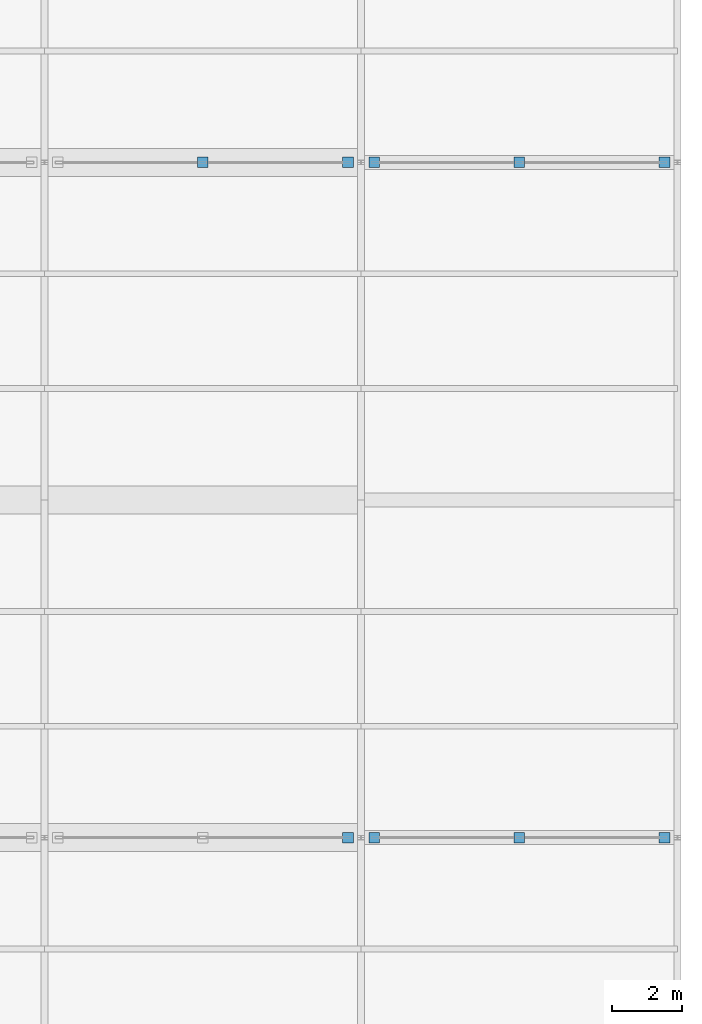
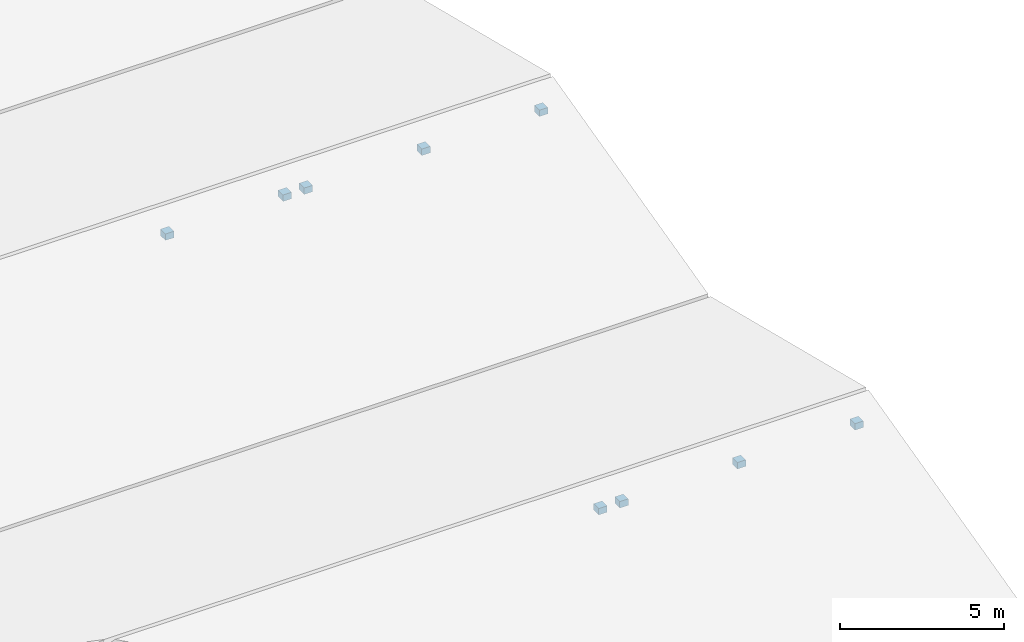
# One storey, part 29 of 36: 9 discrete accessories.
"""IFC4 building model written with IfcOpenShell, lengths in metres."""

import ifcopenshell
import ifcopenshell.guid

model = None  # the IFC model being written
_history = None  # IfcOwnerHistory: only IFC2X3 demands one
_inside = {}  # id of a spatial element -> (the spatial element, [elements in it])
_under = {}  # id of a project, library or spatial element -> (it, [spatial elements below it])
_declared = {}  # id of a project -> (the project, [libraries it declares])
_typed = {}  # id of a type object -> (the type object, [elements of that type])
_made_of = {}  # id of a material, layer set ... -> (it, [elements and type objects made of it])


def new_model(schema):
    """Start an empty IFC model of exactly this schema.

    Asked for "IFC4X3", IfcOpenShell would pick the latest addendum, in which some entities
    have other attributes; the version numbers below select the first issue.
    IFC2X3 requires an IfcOwnerHistory on every rooted entity: one is made here for all.
    """
    global model, _history
    if schema == "IFC4X3":
        model = ifcopenshell.file(schema_version=(4, 3, 0, 0))
    else:
        model = ifcopenshell.file(schema=schema)
    _inside.clear()
    _under.clear()
    _declared.clear()
    _typed.clear()
    _made_of.clear()
    _history = None
    if model.schema == "IFC2X3":
        org = make("IfcOrganization", Name="unknown")
        user = make(
            "IfcPersonAndOrganization",
            ThePerson=make("IfcPerson", FamilyName="unknown"),
            TheOrganization=org,
        )
        app = make(
            "IfcApplication",
            ApplicationDeveloper=org,
            Version="unknown",
            ApplicationFullName="unknown",
            ApplicationIdentifier="unknown",
        )
        _history = make(
            "IfcOwnerHistory",
            OwningUser=user,
            OwningApplication=app,
            ChangeAction="ADDED",
            CreationDate=0,
        )
    return model


def make(cls, **values):
    """One entity of the class cls with the attributes given. An attribute that is None is left unset."""
    return model.create_entity(
        cls, **{name: value for name, value in values.items() if value is not None}
    )


def rooted(cls, **values):
    """An entity with a GlobalId (a new one), such as an element, a storey or a relation."""
    return make(cls, GlobalId=ifcopenshell.guid.new(), OwnerHistory=_history, **values)


def si_unit(unit_type, name, prefix=None):
    """IfcSIUnit, for example si_unit("LENGTHUNIT", "METRE", prefix="MILLI")."""
    return make("IfcSIUnit", UnitType=unit_type, Prefix=prefix, Name=name)


def assignment(units):
    """IfcUnitAssignment: the units of a project."""
    return None if units is None else make("IfcUnitAssignment", Units=units)


def point(xyz):
    """IfcCartesianPoint."""
    return None if xyz is None else make("IfcCartesianPoint", Coordinates=xyz)


def direction(xyz):
    """IfcDirection."""
    return None if xyz is None else make("IfcDirection", DirectionRatios=xyz)


def frame(location, z_axis=None, x_axis=None):
    """IfcAxis2Placement3D, a coordinate frame: its origin and axes. An axis left out is left unset."""
    return make(
        "IfcAxis2Placement3D",
        Location=point(location),
        Axis=direction(z_axis),
        RefDirection=direction(x_axis),
    )


def frame_2d(location, x_axis=None):
    """IfcAxis2Placement2D, a coordinate frame in the plane: its origin and x axis."""
    return make(
        "IfcAxis2Placement2D", Location=point(location), RefDirection=direction(x_axis)
    )


def origin():
    """The frame at (0, 0, 0) with its axes left unset."""
    return frame((0.0, 0.0, 0.0))


def origin_2d():
    """The frame at (0, 0) in the plane with its x axis left unset."""
    return frame_2d((0.0, 0.0))


def place(relative_to, where):
    """IfcLocalPlacement: puts the frame where relative to a parent placement (None: the world)."""
    return make(
        "IfcLocalPlacement", PlacementRelTo=relative_to, RelativePlacement=where
    )


def context(
    kind, dimensions, precision=None, world=None, true_north=None, identifier=None
):
    """IfcGeometricRepresentationContext, for example the 3D "Model" context."""
    return make(
        "IfcGeometricRepresentationContext",
        ContextIdentifier=identifier,
        ContextType=kind,
        CoordinateSpaceDimension=dimensions,
        Precision=precision,
        WorldCoordinateSystem=world,
        TrueNorth=true_north,
    )


def subcontext(parent, identifier, kind, view, scale=None):
    """IfcGeometricRepresentationSubContext, for example "Body" below "Model"."""
    return make(
        "IfcGeometricRepresentationSubContext",
        ContextIdentifier=identifier,
        ContextType=kind,
        ParentContext=parent,
        TargetScale=scale,
        TargetView=view,
    )


def project(units=None, contexts=None):
    """IfcProject with its units and contexts."""
    return rooted(
        "IfcProject",
        Name="project",
        RepresentationContexts=contexts,
        UnitsInContext=assignment(units),
    )


def spatial(cls, under=None, at=None, **own):
    """A site, building, storey or space (cls), placed at a placement, below another one or the project."""
    s = rooted(cls, ObjectPlacement=at, **own)
    if under is not None:
        _under.setdefault(under.id(), (under, []))[1].append(s)
    return s


def profile(cls, at=None, kind="AREA", **sizes):
    """A parametric profile (cls). Its sizes go by their IFC names, for example OverallWidth=200.0."""
    return make(cls, ProfileType=kind, Position=at, **sizes)


def rectangle(**sizes):
    """IfcRectangleProfileDef."""
    return profile("IfcRectangleProfileDef", **sizes)


def extrude(swept, where, along, depth):
    """IfcExtrudedAreaSolid: the profile swept, set in the frame where, extruded along a direction by depth."""
    return make(
        "IfcExtrudedAreaSolid",
        SweptArea=swept,
        Position=where,
        ExtrudedDirection=direction(along),
        Depth=depth,
    )


def shape(context_of_items, identifier, shape_type, items):
    """IfcShapeRepresentation: the items that make up one representation, for example the "Body"."""
    return make(
        "IfcShapeRepresentation",
        ContextOfItems=context_of_items,
        RepresentationIdentifier=identifier,
        RepresentationType=shape_type,
        Items=items,
    )


def material(Name=None, Category=None):
    """IfcMaterial."""
    return make("IfcMaterial", Name=Name, Category=Category)


def made_of(thing, what):
    """Note that an element or type object is made of a material, layer set ...; save() writes the relation."""
    if what is not None:
        _made_of.setdefault(what.id(), (what, []))[1].append(thing)
    return thing


def type_object(cls, material=None, **own):
    """A type object (cls), such as IfcWallType, which elements share."""
    return made_of(rooted(cls, **own), material)


def element(
    cls,
    number,
    at=None,
    inside=None,
    cuts=None,
    type_object=None,
    material=None,
    context=None,
    identifier="Body",
    shape_type=None,
    held_by="IfcProductDefinitionShape",
    body=None,
    shapes=None,
    **own,
):
    """One element of the class cls, such as IfcWall. Its Tag is "e" and its number.

    at: its placement. inside: the storey or other place that contains it. cuts: it is an
    opening in that element (IfcRelVoidsElement). A single representation is given by context,
    identifier, shape_type and body (its items); several are given by shapes. held_by: the class
    of the entity that holds the representations. save() writes the other relations.
    """
    e = rooted(cls, Tag="e%d" % number, ObjectPlacement=at, **own)
    if body is not None:
        shapes = [shape(context, identifier, shape_type, body)]
    if shapes is not None:
        e.Representation = make(held_by, Representations=shapes)
    if inside is not None:
        _inside.setdefault(inside.id(), (inside, []))[1].append(e)
    if cuts is not None:
        rooted(
            "IfcRelVoidsElement", RelatingBuildingElement=cuts, RelatedOpeningElement=e
        )
    if type_object is not None:
        _typed.setdefault(type_object.id(), (type_object, []))[1].append(e)
    return made_of(e, material)


def aggregate(whole, parts):
    """IfcRelAggregates: a whole, such as a stair, and the parts it consists of."""
    return rooted("IfcRelAggregates", RelatingObject=whole, RelatedObjects=parts)


def save(model, path):
    """Write the relations noted so far, then the file.

    IfcRelAggregates (storeys below a building ...), IfcRelContainedInSpatialStructure (elements
    in a storey), IfcRelDefinesByType, IfcRelAssociatesMaterial and IfcRelDeclares: one each for
    every whole, place, type object, material and project.
    """
    for whole, parts in _under.values():
        aggregate(whole, parts)
    for where, things in _inside.values():
        rooted(
            "IfcRelContainedInSpatialStructure",
            RelatedElements=things,
            RelatingStructure=where,
        )
    for kind, things in _typed.values():
        rooted("IfcRelDefinesByType", RelatedObjects=things, RelatingType=kind)
    for what, things in _made_of.values():
        rooted("IfcRelAssociatesMaterial", RelatedObjects=things, RelatingMaterial=what)
    for by, libraries in _declared.values():
        rooted("IfcRelDeclares", RelatingContext=by, RelatedDefinitions=libraries)
    model.write(path)


model = new_model("IFC4")

# Units and contexts
model_context = context("Model", 3, precision=1e-05, world=origin(), true_north=direction((0.0, 1.0)))
body_context = subcontext(model_context, "Body", "Model", "MODEL_VIEW")
ifc_project = project(units=[si_unit("LENGTHUNIT", "METRE"), si_unit("AREAUNIT", "SQUARE_METRE"), si_unit("VOLUMEUNIT", "CUBIC_METRE"), si_unit("PLANEANGLEUNIT", "RADIAN"), si_unit("MASSUNIT", "GRAM", prefix="KILO")], contexts=[model_context])

# Site, building, storey
site_placement = place(None, origin())
site = spatial("IfcSite", under=ifc_project, at=site_placement, CompositionType="ELEMENT")
building_placement = place(site_placement, origin())
building = spatial("IfcBuilding", under=site, at=building_placement, Name="Qorvath Tower", CompositionType="ELEMENT")
storey_placement = place(building_placement, frame((0.0, 0.0, 27.0)))
storey = spatial("IfcBuildingStorey", under=building, at=storey_placement, Name="L05", CompositionType="ELEMENT", Elevation=27.0)

# Discrete accessories
ifc_material = material(Name="Galvanised steel bracket", Category="steel")
discrete_accessory_type = type_object("IfcDiscreteAccessoryType", Name="DA-BRACKET", PredefinedType="BRACKET", material=ifc_material)
for number, where, z_axis, x_axis, name in (
    (1, (68.030029296875, -9.60009765625, 1.10009765625), (0.0, 0.0, 1.0), (1.0, 0.0, 0.0), "Clerestory Mullion Head Bracket 2-4.3"),
    (2, (68.77001953125, -9.60009765625, 1.10009765625), (0.0, 0.0, 1.0), (1.0, 0.0, 0.0), "Clerestory Mullion Head Bracket 2-5.1"),
    (3, (72.89990234375, -9.60009765625, 1.10009765625), (0.0, 0.0, 1.0), (1.0, 0.0, 0.0), "Clerestory Mullion Head Bracket 2-5.2"),
    (4, (77.030029296875, -9.60009765625, 1.10009765625), (0.0, 0.0, 1.0), (1.0, 0.0, 0.0), "Clerestory Mullion Head Bracket 2-5.3"),
    (5, (63.89990234375, 9.60009765625, 1.10009765625), (0.0, 0.0, 1.0), (1.0, 0.0, 0.0), "Clerestory Mullion Head Bracket 3-4.2"),
    (6, (68.030029296875, 9.60009765625, 1.10009765625), (0.0, 0.0, 1.0), (1.0, 0.0, 0.0), "Clerestory Mullion Head Bracket 3-4.3"),
    (7, (68.77001953125, 9.60009765625, 1.10009765625), (0.0, 0.0, 1.0), (1.0, 0.0, 0.0), "Clerestory Mullion Head Bracket 3-5.1"),
    (8, (72.89990234375, 9.60009765625, 1.10009765625), (0.0, 0.0, 1.0), (1.0, 0.0, 0.0), "Clerestory Mullion Head Bracket 3-5.2"),
    (9, (77.030029296875, 9.60009765625, 1.10009765625), (0.0, 0.0, 1.0), (1.0, 0.0, 0.0), "Clerestory Mullion Head Bracket 3-5.3"),
):
    element("IfcDiscreteAccessory", number, at=place(storey_placement, frame(where, z_axis=z_axis, x_axis=x_axis)), inside=storey, type_object=discrete_accessory_type, Name=name, PredefinedType="NOTDEFINED", context=body_context, shape_type="SweptSolid", body=[
        extrude(rectangle(XDim=0.300048828125, YDim=0.300048828125, at=origin_2d()), origin(), (0.0, 0.0, 1.0), 0.239990234375),
    ])

save(model, "model.ifc")
